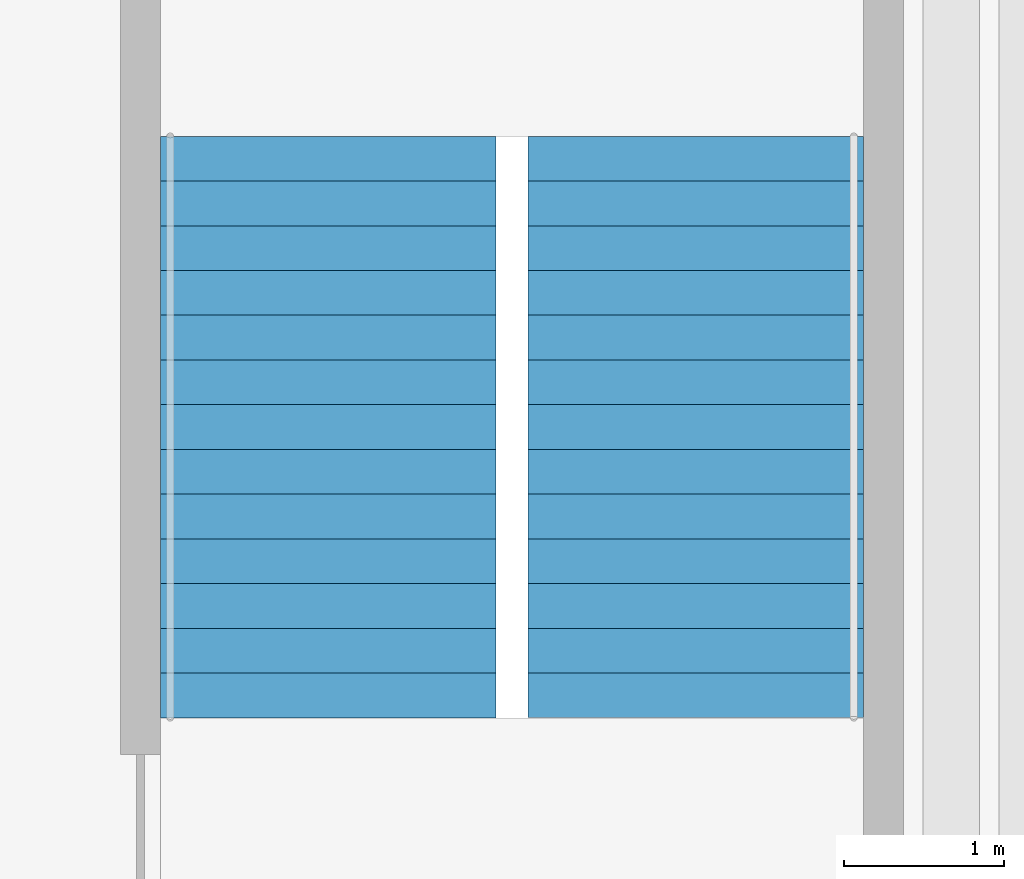
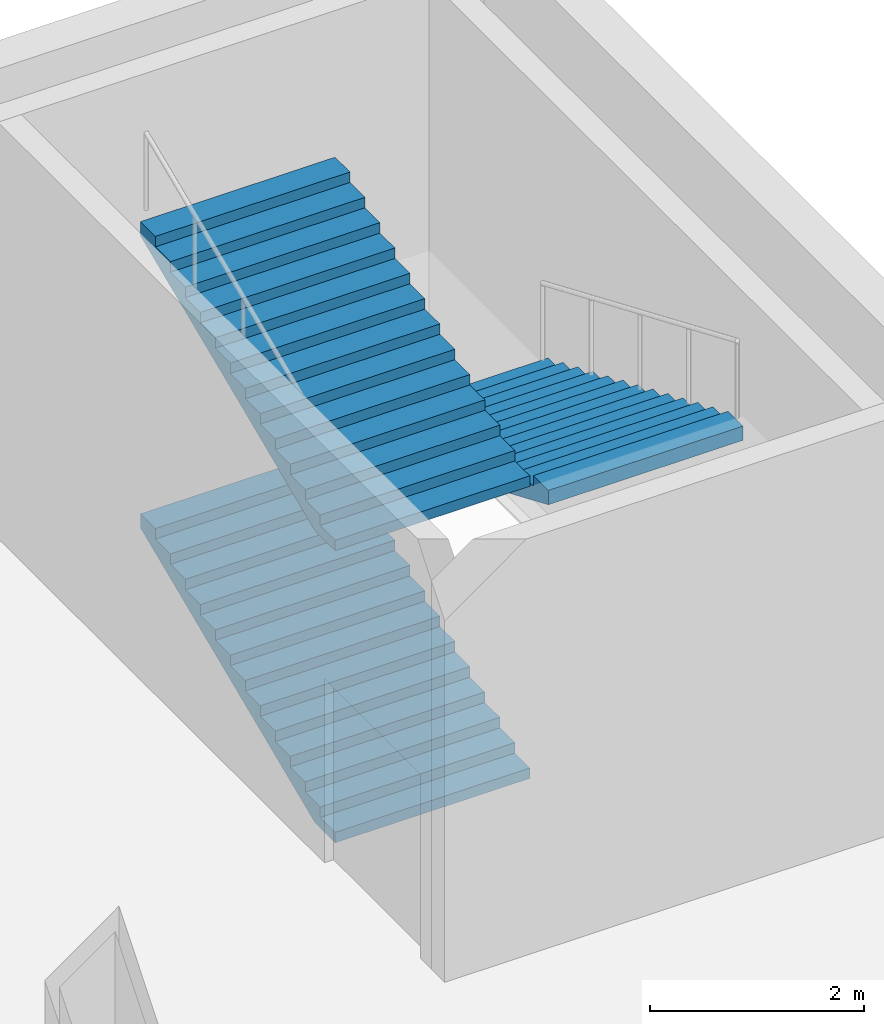
# One storey, part 18 of 31: 3 stair flights, 1 element without a shape of its own.
"""IFC4 building model written with IfcOpenShell, lengths in metres."""

from ifc_helpers import new_model, si_unit, direction, frame, origin, place, context, subcontext, project, spatial, polyline, outline, extrude, material, type_object, element, aggregate, save


model = new_model("IFC4")

# Units and contexts
model_context = context("Model", 3, precision=1e-05, world=origin(), true_north=direction((0.0, 1.0)))
body_context = subcontext(model_context, "Body", "Model", "MODEL_VIEW")
ifc_project = project(units=[si_unit("LENGTHUNIT", "METRE"), si_unit("AREAUNIT", "SQUARE_METRE"), si_unit("VOLUMEUNIT", "CUBIC_METRE"), si_unit("PLANEANGLEUNIT", "RADIAN"), si_unit("MASSUNIT", "GRAM", prefix="KILO")], contexts=[model_context])

# Site, building, storey
site_placement = place(None, origin())
site = spatial("IfcSite", under=ifc_project, at=site_placement, CompositionType="ELEMENT")
building_placement = place(site_placement, origin())
building = spatial("IfcBuilding", under=site, at=building_placement, Name="Loomwork Tower", CompositionType="ELEMENT")
storey_placement = place(building_placement, frame((0.0, 0.0, 11.0)))
storey = spatial("IfcBuildingStorey", under=building, at=storey_placement, Name="L02", CompositionType="ELEMENT", Elevation=11.0)

# Stair, stair flights
ifc_material_1 = material(Name="Concrete 5000 psi (34 MPa) precast stair", Category="concrete")
stair_type = type_object("IfcStairType", Name="Stair ST-S4P 42 risers of 119 4400 wide", PredefinedType="HALF_TURN_STAIR", material=ifc_material_1)
stair_placement = place(storey_placement, origin())
stair = element("IfcStair", 1, at=stair_placement, inside=storey, type_object=stair_type, Name="Podium stair PS4 L02", PredefinedType="HALF_TURN_STAIR")
ifc_material_2 = material(Name="Concrete 5000 psi (34 MPa) precast stair", Category="concrete")
stair_flight_type = type_object("IfcStairFlightType", Name="Stair flight ST-S4P 14 risers of 119 2100 wide", PredefinedType="STRAIGHT", material=ifc_material_2)
stair_flight_1_placement = place(storey_placement, frame((59.10009765625, 38.679931640625, 0.0), z_axis=(0.0, 0.0, 1.0), x_axis=(0.0, 1.0, 0.0)))
stair_flight_1 = element("IfcStairFlight", 2, at=stair_flight_1_placement, type_object=stair_flight_type, Name="ST-S4P flight 1", NumberOfRisers=14, NumberOfTreads=13, PredefinedType="STRAIGHT", RiserHeight=0.119047619, TreadLength=0.28, context=body_context, shape_type="SweptSolid", body=[
    extrude(outline(polyline([(0.0, 0.0), (0.0, 0.119140625), (0.280029296875, 0.119140625), (0.280029296875, 0.238037109375), (0.56005859375, 0.238037109375), (0.56005859375, 0.357177734375), (0.840087890625, 0.357177734375), (0.840087890625, 0.47607421875), (1.1201171875, 0.47607421875), (1.1201171875, 0.59521484375), (1.39990234375, 0.59521484375), (1.39990234375, 0.71435546875), (1.679931640625, 0.71435546875), (1.679931640625, 0.833251953125), (1.9599609375, 0.833251953125), (1.9599609375, 0.952392578125), (2.239990234375, 0.952392578125), (2.239990234375, 1.071533203125), (2.52001953125, 1.071533203125), (2.52001953125, 1.1904296875), (2.800048828125, 1.1904296875), (2.800048828125, 1.3095703125), (3.080078125, 1.3095703125), (3.080078125, 1.428466796875), (3.360107421875, 1.428466796875), (3.360107421875, 1.547607421875), (3.639892578125, 1.547607421875), (3.639892578125, 1.666748046875), (3.639892578125, 1.384765625), (0.383056640625, 0.0), (0.0, 0.0)])), frame((0.0, 1.050048828125, 0.0), z_axis=(0.0, -1.0, 0.0), x_axis=(1.0, 0.0, 0.0)), (0.0, 0.0, 1.0), 2.10009765625),
])
stair_flight_2_placement = place(storey_placement, frame((61.39990234375, 42.320068359375, 1.666748046875), z_axis=(0.0, 0.0, 1.0), x_axis=(0.0, -1.0, 0.0)))
stair_flight_2 = element("IfcStairFlight", 3, at=stair_flight_2_placement, type_object=stair_flight_type, Name="ST-S4P flight 2", NumberOfRisers=14, NumberOfTreads=13, PredefinedType="STRAIGHT", RiserHeight=0.119047619, TreadLength=0.28, context=body_context, shape_type="SweptSolid", body=[
    extrude(outline(polyline([(0.0, 0.0), (0.0, 0.119140625), (0.280029296875, 0.119140625), (0.280029296875, 0.238037109375), (0.56005859375, 0.238037109375), (0.56005859375, 0.357177734375), (0.840087890625, 0.357177734375), (0.840087890625, 0.47607421875), (1.1201171875, 0.47607421875), (1.1201171875, 0.59521484375), (1.39990234375, 0.59521484375), (1.39990234375, 0.71435546875), (1.679931640625, 0.71435546875), (1.679931640625, 0.833251953125), (1.9599609375, 0.833251953125), (1.9599609375, 0.952392578125), (2.239990234375, 0.952392578125), (2.239990234375, 1.071533203125), (2.52001953125, 1.071533203125), (2.52001953125, 1.1904296875), (2.800048828125, 1.1904296875), (2.800048828125, 1.3095703125), (3.080078125, 1.3095703125), (3.080078125, 1.428466796875), (3.360107421875, 1.428466796875), (3.360107421875, 1.547607421875), (3.639892578125, 1.547607421875), (3.639892578125, 1.666748046875), (3.639892578125, 1.384765625), (0.383056640625, 0.0), (0.0, 0.0)])), frame((0.0, 1.050048828125, 0.0), z_axis=(0.0, -1.0, 0.0), x_axis=(1.0, 0.0, 0.0)), (0.0, 0.0, 1.0), 2.10009765625),
])
stair_flight_3_placement = place(storey_placement, frame((59.10009765625, 38.679931640625, 3.333251953125), z_axis=(0.0, 0.0, 1.0), x_axis=(0.0, 1.0, 0.0)))
stair_flight_3 = element("IfcStairFlight", 4, at=stair_flight_3_placement, type_object=stair_flight_type, Name="ST-S4P flight 3", NumberOfRisers=14, NumberOfTreads=13, PredefinedType="STRAIGHT", RiserHeight=0.119047619, TreadLength=0.28, context=body_context, shape_type="SweptSolid", body=[
    extrude(outline(polyline([(0.0, 0.0), (0.0, 0.119140625), (0.280029296875, 0.119140625), (0.280029296875, 0.238037109375), (0.56005859375, 0.238037109375), (0.56005859375, 0.357177734375), (0.840087890625, 0.357177734375), (0.840087890625, 0.47607421875), (1.1201171875, 0.47607421875), (1.1201171875, 0.59521484375), (1.39990234375, 0.59521484375), (1.39990234375, 0.71435546875), (1.679931640625, 0.71435546875), (1.679931640625, 0.833251953125), (1.9599609375, 0.833251953125), (1.9599609375, 0.952392578125), (2.239990234375, 0.952392578125), (2.239990234375, 1.071533203125), (2.52001953125, 1.071533203125), (2.52001953125, 1.1904296875), (2.800048828125, 1.1904296875), (2.800048828125, 1.3095703125), (3.080078125, 1.3095703125), (3.080078125, 1.428466796875), (3.360107421875, 1.428466796875), (3.360107421875, 1.547607421875), (3.639892578125, 1.547607421875), (3.639892578125, 1.666748046875), (3.639892578125, 1.384765625), (0.383056640625, 0.0), (0.0, 0.0)])), frame((0.0, 1.050048828125, 0.0), z_axis=(0.0, -1.0, 0.0), x_axis=(1.0, 0.0, 0.0)), (0.0, 0.0, 1.0), 2.10009765625),
])
aggregate(stair, [stair_flight_1, stair_flight_2, stair_flight_3])

save(model, "model.ifc")
